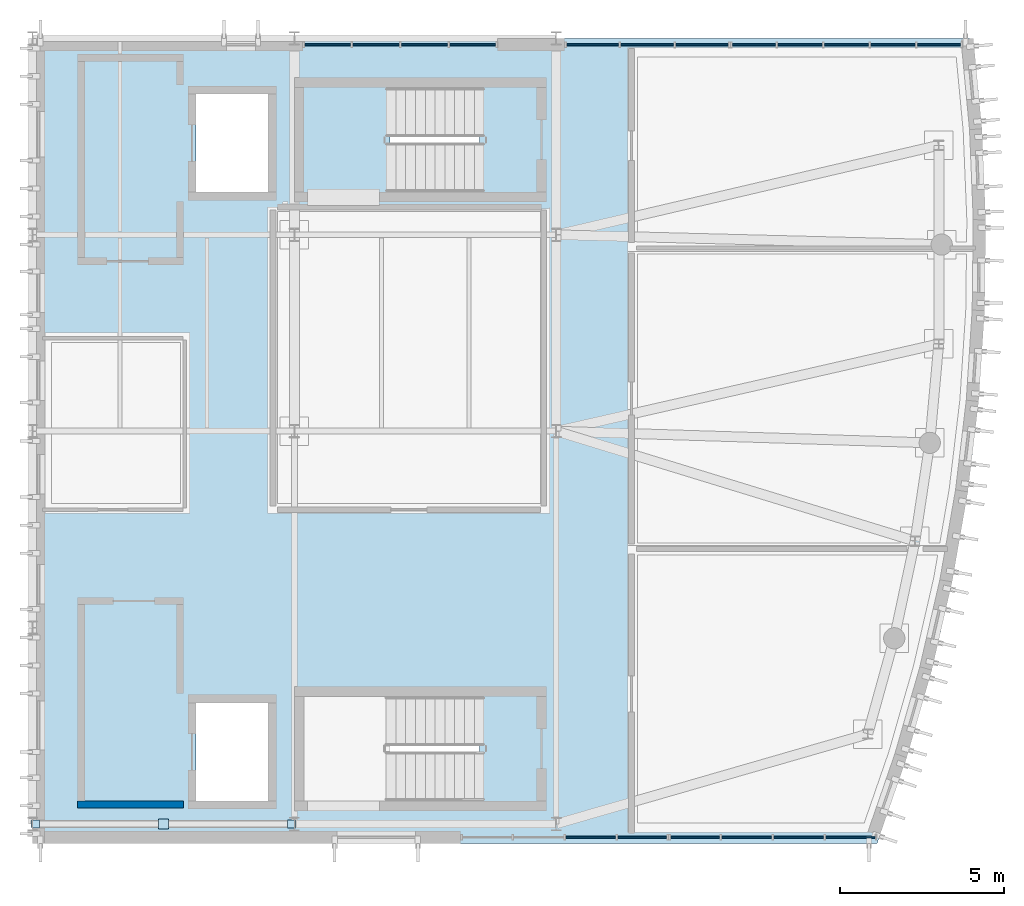
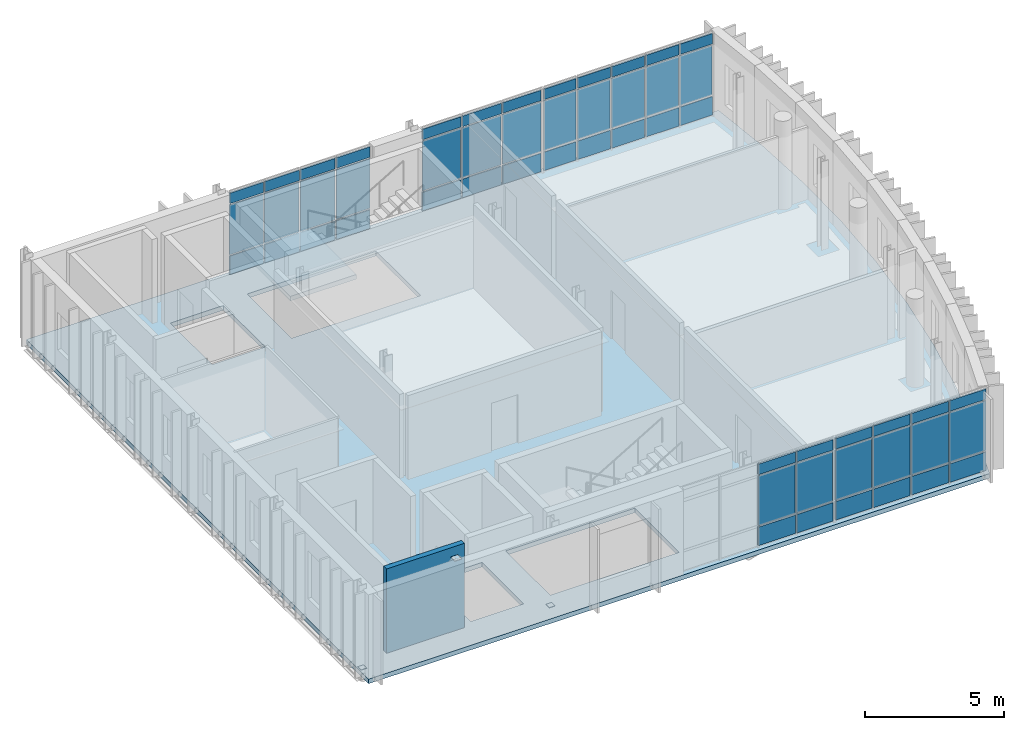
# One storey, part 5 of 10: 57 plates, 2 slabs, 1 wall, 6 elements without a shape of their own.
"""IFC4 building model written with IfcOpenShell, lengths in metres."""

import ifcopenshell
import ifcopenshell.guid

model = None  # the IFC model being written
_history = None  # IfcOwnerHistory: only IFC2X3 demands one
_inside = {}  # id of a spatial element -> (the spatial element, [elements in it])
_under = {}  # id of a project, library or spatial element -> (it, [spatial elements below it])
_declared = {}  # id of a project -> (the project, [libraries it declares])
_typed = {}  # id of a type object -> (the type object, [elements of that type])
_made_of = {}  # id of a material, layer set ... -> (it, [elements and type objects made of it])


def new_model(schema):
    """Start an empty IFC model of exactly this schema.

    Asked for "IFC4X3", IfcOpenShell would pick the latest addendum, in which some entities
    have other attributes; the version numbers below select the first issue.
    IFC2X3 requires an IfcOwnerHistory on every rooted entity: one is made here for all.
    """
    global model, _history
    if schema == "IFC4X3":
        model = ifcopenshell.file(schema_version=(4, 3, 0, 0))
    else:
        model = ifcopenshell.file(schema=schema)
    _inside.clear()
    _under.clear()
    _declared.clear()
    _typed.clear()
    _made_of.clear()
    _history = None
    if model.schema == "IFC2X3":
        org = make("IfcOrganization", Name="unknown")
        user = make(
            "IfcPersonAndOrganization",
            ThePerson=make("IfcPerson", FamilyName="unknown"),
            TheOrganization=org,
        )
        app = make(
            "IfcApplication",
            ApplicationDeveloper=org,
            Version="unknown",
            ApplicationFullName="unknown",
            ApplicationIdentifier="unknown",
        )
        _history = make(
            "IfcOwnerHistory",
            OwningUser=user,
            OwningApplication=app,
            ChangeAction="ADDED",
            CreationDate=0,
        )
    return model


def make(cls, **values):
    """One entity of the class cls with the attributes given. An attribute that is None is left unset."""
    return model.create_entity(
        cls, **{name: value for name, value in values.items() if value is not None}
    )


def rooted(cls, **values):
    """An entity with a GlobalId (a new one), such as an element, a storey or a relation."""
    return make(cls, GlobalId=ifcopenshell.guid.new(), OwnerHistory=_history, **values)


def si_unit(unit_type, name, prefix=None):
    """IfcSIUnit, for example si_unit("LENGTHUNIT", "METRE", prefix="MILLI")."""
    return make("IfcSIUnit", UnitType=unit_type, Prefix=prefix, Name=name)


def assignment(units):
    """IfcUnitAssignment: the units of a project."""
    return None if units is None else make("IfcUnitAssignment", Units=units)


def point(xyz):
    """IfcCartesianPoint."""
    return None if xyz is None else make("IfcCartesianPoint", Coordinates=xyz)


def direction(xyz):
    """IfcDirection."""
    return None if xyz is None else make("IfcDirection", DirectionRatios=xyz)


def frame(location, z_axis=None, x_axis=None):
    """IfcAxis2Placement3D, a coordinate frame: its origin and axes. An axis left out is left unset."""
    return make(
        "IfcAxis2Placement3D",
        Location=point(location),
        Axis=direction(z_axis),
        RefDirection=direction(x_axis),
    )


def frame_2d(location, x_axis=None):
    """IfcAxis2Placement2D, a coordinate frame in the plane: its origin and x axis."""
    return make(
        "IfcAxis2Placement2D", Location=point(location), RefDirection=direction(x_axis)
    )


def origin():
    """The frame at (0, 0, 0) with its axes left unset."""
    return frame((0.0, 0.0, 0.0))


def origin_2d():
    """The frame at (0, 0) in the plane with its x axis left unset."""
    return frame_2d((0.0, 0.0))


def place(relative_to, where):
    """IfcLocalPlacement: puts the frame where relative to a parent placement (None: the world)."""
    return make(
        "IfcLocalPlacement", PlacementRelTo=relative_to, RelativePlacement=where
    )


def context(
    kind, dimensions, precision=None, world=None, true_north=None, identifier=None
):
    """IfcGeometricRepresentationContext, for example the 3D "Model" context."""
    return make(
        "IfcGeometricRepresentationContext",
        ContextIdentifier=identifier,
        ContextType=kind,
        CoordinateSpaceDimension=dimensions,
        Precision=precision,
        WorldCoordinateSystem=world,
        TrueNorth=true_north,
    )


def subcontext(parent, identifier, kind, view, scale=None):
    """IfcGeometricRepresentationSubContext, for example "Body" below "Model"."""
    return make(
        "IfcGeometricRepresentationSubContext",
        ContextIdentifier=identifier,
        ContextType=kind,
        ParentContext=parent,
        TargetScale=scale,
        TargetView=view,
    )


def project(units=None, contexts=None):
    """IfcProject with its units and contexts."""
    return rooted(
        "IfcProject",
        Name="project",
        RepresentationContexts=contexts,
        UnitsInContext=assignment(units),
    )


def spatial(cls, under=None, at=None, **own):
    """A site, building, storey or space (cls), placed at a placement, below another one or the project."""
    s = rooted(cls, ObjectPlacement=at, **own)
    if under is not None:
        _under.setdefault(under.id(), (under, []))[1].append(s)
    return s


def polyline(points):
    """IfcPolyline through the points."""
    return make("IfcPolyline", Points=[point(p) for p in points])


def profile(cls, at=None, kind="AREA", **sizes):
    """A parametric profile (cls). Its sizes go by their IFC names, for example OverallWidth=200.0."""
    return make(cls, ProfileType=kind, Position=at, **sizes)


def rectangle(**sizes):
    """IfcRectangleProfileDef."""
    return profile("IfcRectangleProfileDef", **sizes)


def outline(outer, holes=None, kind="AREA"):
    """IfcArbitraryClosedProfileDef: a profile drawn as a closed curve; with holes, ...WithVoids."""
    if holes is None:
        return make("IfcArbitraryClosedProfileDef", ProfileType=kind, OuterCurve=outer)
    return make(
        "IfcArbitraryProfileDefWithVoids",
        ProfileType=kind,
        OuterCurve=outer,
        InnerCurves=holes,
    )


def extrude(swept, where, along, depth):
    """IfcExtrudedAreaSolid: the profile swept, set in the frame where, extruded along a direction by depth."""
    return make(
        "IfcExtrudedAreaSolid",
        SweptArea=swept,
        Position=where,
        ExtrudedDirection=direction(along),
        Depth=depth,
    )


def shape(context_of_items, identifier, shape_type, items):
    """IfcShapeRepresentation: the items that make up one representation, for example the "Body"."""
    return make(
        "IfcShapeRepresentation",
        ContextOfItems=context_of_items,
        RepresentationIdentifier=identifier,
        RepresentationType=shape_type,
        Items=items,
    )


def material(Name=None, Category=None):
    """IfcMaterial."""
    return make("IfcMaterial", Name=Name, Category=Category)


def layer(
    of_material, thickness, ventilated=None, Name=None, Category=None, Priority=None
):
    """IfcMaterialLayer: one layer of a wall or slab, of a material (None: an air gap)."""
    return make(
        "IfcMaterialLayer",
        Material=of_material,
        LayerThickness=thickness,
        IsVentilated=ventilated,
        Name=Name,
        Category=Category,
        Priority=Priority,
    )


def layer_set(layers, Name=None):
    """IfcMaterialLayerSet."""
    return make("IfcMaterialLayerSet", MaterialLayers=layers, LayerSetName=Name)


def made_of(thing, what):
    """Note that an element or type object is made of a material, layer set ...; save() writes the relation."""
    if what is not None:
        _made_of.setdefault(what.id(), (what, []))[1].append(thing)
    return thing


def type_object(cls, material=None, **own):
    """A type object (cls), such as IfcWallType, which elements share."""
    return made_of(rooted(cls, **own), material)


def element(
    cls,
    number,
    at=None,
    inside=None,
    cuts=None,
    type_object=None,
    material=None,
    context=None,
    identifier="Body",
    shape_type=None,
    held_by="IfcProductDefinitionShape",
    body=None,
    shapes=None,
    **own,
):
    """One element of the class cls, such as IfcWall. Its Tag is "e" and its number.

    at: its placement. inside: the storey or other place that contains it. cuts: it is an
    opening in that element (IfcRelVoidsElement). A single representation is given by context,
    identifier, shape_type and body (its items); several are given by shapes. held_by: the class
    of the entity that holds the representations. save() writes the other relations.
    """
    e = rooted(cls, Tag="e%d" % number, ObjectPlacement=at, **own)
    if body is not None:
        shapes = [shape(context, identifier, shape_type, body)]
    if shapes is not None:
        e.Representation = make(held_by, Representations=shapes)
    if inside is not None:
        _inside.setdefault(inside.id(), (inside, []))[1].append(e)
    if cuts is not None:
        rooted(
            "IfcRelVoidsElement", RelatingBuildingElement=cuts, RelatedOpeningElement=e
        )
    if type_object is not None:
        _typed.setdefault(type_object.id(), (type_object, []))[1].append(e)
    return made_of(e, material)


def aggregate(whole, parts):
    """IfcRelAggregates: a whole, such as a stair, and the parts it consists of."""
    return rooted("IfcRelAggregates", RelatingObject=whole, RelatedObjects=parts)


def save(model, path):
    """Write the relations noted so far, then the file.

    IfcRelAggregates (storeys below a building ...), IfcRelContainedInSpatialStructure (elements
    in a storey), IfcRelDefinesByType, IfcRelAssociatesMaterial and IfcRelDeclares: one each for
    every whole, place, type object, material and project.
    """
    for whole, parts in _under.values():
        aggregate(whole, parts)
    for where, things in _inside.values():
        rooted(
            "IfcRelContainedInSpatialStructure",
            RelatedElements=things,
            RelatingStructure=where,
        )
    for kind, things in _typed.values():
        rooted("IfcRelDefinesByType", RelatedObjects=things, RelatingType=kind)
    for what, things in _made_of.values():
        rooted("IfcRelAssociatesMaterial", RelatedObjects=things, RelatingMaterial=what)
    for by, libraries in _declared.values():
        rooted("IfcRelDeclares", RelatingContext=by, RelatedDefinitions=libraries)
    model.write(path)


model = new_model("IFC4")

# Units and contexts
model_context = context("Model", 3, precision=1e-05, world=origin(), true_north=direction((0.0, 1.0)))
body_context = subcontext(model_context, "Body", "Model", "MODEL_VIEW")
ifc_project = project(units=[si_unit("LENGTHUNIT", "METRE"), si_unit("AREAUNIT", "SQUARE_METRE"), si_unit("VOLUMEUNIT", "CUBIC_METRE"), si_unit("PLANEANGLEUNIT", "RADIAN"), si_unit("MASSUNIT", "GRAM", prefix="KILO")], contexts=[model_context])

# Site, building, storey
site_placement = place(None, origin())
site = spatial("IfcSite", under=ifc_project, at=site_placement, CompositionType="ELEMENT")
building_placement = place(site_placement, origin())
building = spatial("IfcBuilding", under=site, at=building_placement, Name="Cymarion Research Institute", CompositionType="ELEMENT")
storey_placement = place(building_placement, frame((0.0, 0.0, 38.39990234375)))
storey = spatial("IfcBuildingStorey", under=building, at=storey_placement, Name="L09", CompositionType="ELEMENT", Elevation=38.39990234375)

# Slab
ifc_material_1 = material(Name="Concrete C35/45", Category="concrete")
ifc_layer_1 = layer(ifc_material_1, 0.199951171875)
ifc_layer_set_1 = layer_set([ifc_layer_1], Name="Concrete C35/45")
slab_type_1 = type_object("IfcSlabType", Name="COMPOSITE FLOOR SLAB SL-FL200 200MM", PredefinedType="FLOOR", material=ifc_layer_set_1)
slab_1_placement = place(storey_placement, frame((0.0, 0.0, -0.199951171875)))
element("IfcSlab", 1, at=slab_1_placement, inside=storey, type_object=slab_type_1, Name="L09 V1 floor slab", PredefinedType="FLOOR", context=body_context, shape_type="SweptSolid", body=[
    extrude(outline(polyline([(138.60009765625, 4.89990234375), (164.39990234375, 4.89990234375), (165.30810546875, 7.526611328125), (166.07470703125, 10.197998046875), (166.697509765625, 12.906494140625), (167.1748046875, 15.64453125), (167.5048828125, 18.404052734375), (167.68701171875, 21.177490234375), (167.720947265625, 23.956298828125), (167.606201171875, 26.733154296875), (167.343505859375, 29.5), (138.60009765625, 29.5), (138.60009765625, 4.89990234375)]), holes=[polyline([(152.260009765625, 9.39990234375), (146.89990234375, 9.39990234375), (146.89990234375, 6.199951171875), (152.260009765625, 6.199951171875), (152.260009765625, 9.39990234375)]), polyline([(143.60009765625, 6.199951171875), (145.800048828125, 6.199951171875), (145.800048828125, 9.199951171875), (143.60009765625, 9.199951171875), (143.60009765625, 6.199951171875)]), polyline([(152.260009765625, 28.0), (146.89990234375, 28.0), (146.89990234375, 24.800048828125), (152.260009765625, 24.800048828125), (152.260009765625, 28.0)]), polyline([(143.60009765625, 24.800048828125), (145.800048828125, 24.800048828125), (145.800048828125, 27.800048828125), (143.60009765625, 27.800048828125), (143.60009765625, 24.800048828125)])]), origin(), (0.0, 0.0, 1.0), 0.199951171875),
])

# Curtain wall, plates
ifc_material_2 = material(Name="Anodised aluminium unitised curtain wall with Low-E glazing", Category="aluminium")
curtain_wall_type_1 = type_object("IfcCurtainWallType", Name="UNITISED CURTAIN WALL CW66 6360X3700", PredefinedType="NOTDEFINED", material=ifc_material_2)
curtain_wall_1_placement = place(storey_placement, origin())
curtain_wall_1 = element("IfcCurtainWall", 2, at=curtain_wall_1_placement, inside=storey, type_object=curtain_wall_type_1, Name="L09 V1 unitised curtain wall CW66 #248", PredefinedType="NOTDEFINED")
ifc_material_3 = material(Name="Insulated anodised aluminium spandrel panel", Category="aluminium")
ifc_layer_2 = layer(ifc_material_3, 0.06005859375)
ifc_layer_set_2 = layer_set([ifc_layer_2], Name="Insulated anodised aluminium spandrel panel")
plate_type_1 = type_object("IfcPlateType", Name="INSULATED ALUMINIUM SPANDREL PANEL SP01 60MM", PredefinedType="SHEET", material=ifc_layer_set_2)
plate_1_placement = place(storey_placement, frame((155.65576171875, 5.090087890625, 0.06005859375), z_axis=(0.0, 0.0, 1.0), x_axis=(1.0, 0.0, 0.0)))
plate_1 = element("IfcPlate", 3, at=plate_1_placement, type_object=plate_type_1, Name="CW66 panel 3.1", PredefinedType="SHEET", context=body_context, shape_type="SweptSolid", body=[
    extrude(rectangle(XDim=1.52978515625, YDim=0.06005859375, at=origin_2d()), origin(), (0.0, 0.0, 1.0), 0.81005859375),
])
plate_2_placement = place(storey_placement, frame((155.65576171875, 5.090087890625, 3.18017578125), z_axis=(0.0, 0.0, 1.0), x_axis=(1.0, 0.0, 0.0)))
plate_2 = element("IfcPlate", 4, at=plate_2_placement, type_object=plate_type_1, Name="CW66 panel 3.3", PredefinedType="SHEET", context=body_context, shape_type="SweptSolid", body=[
    extrude(rectangle(XDim=1.52978515625, YDim=0.06005859375, at=origin_2d()), origin(), (0.0, 0.0, 1.0), 0.4599609375),
])
plate_3_placement = place(storey_placement, frame((157.23046875, 5.090087890625, 0.06005859375), z_axis=(0.0, 0.0, 1.0), x_axis=(1.0, 0.0, 0.0)))
plate_3 = element("IfcPlate", 5, at=plate_3_placement, type_object=plate_type_1, Name="CW66 panel 4.1", PredefinedType="SHEET", context=body_context, shape_type="SweptSolid", body=[
    extrude(rectangle(XDim=1.499755859375, YDim=0.06005859375, at=origin_2d()), origin(), (0.0, 0.0, 1.0), 0.81005859375),
])
plate_4_placement = place(storey_placement, frame((157.23046875, 5.090087890625, 3.18017578125), z_axis=(0.0, 0.0, 1.0), x_axis=(1.0, 0.0, 0.0)))
plate_4 = element("IfcPlate", 6, at=plate_4_placement, type_object=plate_type_1, Name="CW66 panel 4.3", PredefinedType="SHEET", context=body_context, shape_type="SweptSolid", body=[
    extrude(rectangle(XDim=1.499755859375, YDim=0.06005859375, at=origin_2d()), origin(), (0.0, 0.0, 1.0), 0.4599609375),
])

curtain_wall_2_placement = place(storey_placement, origin())
curtain_wall_2 = element("IfcCurtainWall", 7, at=curtain_wall_2_placement, inside=storey, type_object=curtain_wall_type_1, Name="L09 V1 unitised curtain wall CW66 #249", PredefinedType="NOTDEFINED")
plate_5_placement = place(storey_placement, frame((158.850341796875, 5.090087890625, 0.06005859375), z_axis=(0.0, 0.0, 1.0), x_axis=(1.0, 0.0, 0.0)))
plate_5 = element("IfcPlate", 8, at=plate_5_placement, type_object=plate_type_1, Name="CW66 panel 1.1", PredefinedType="SHEET", context=body_context, shape_type="SweptSolid", body=[
    extrude(rectangle(XDim=1.499755859375, YDim=0.06005859375, at=origin_2d()), origin(), (0.0, 0.0, 1.0), 0.81005859375),
])
plate_6_placement = place(storey_placement, frame((158.850341796875, 5.090087890625, 3.18017578125), z_axis=(0.0, 0.0, 1.0), x_axis=(1.0, 0.0, 0.0)))
plate_6 = element("IfcPlate", 9, at=plate_6_placement, type_object=plate_type_1, Name="CW66 panel 1.3", PredefinedType="SHEET", context=body_context, shape_type="SweptSolid", body=[
    extrude(rectangle(XDim=1.499755859375, YDim=0.06005859375, at=origin_2d()), origin(), (0.0, 0.0, 1.0), 0.4599609375),
])
plate_7_placement = place(storey_placement, frame((160.42529296875, 5.090087890625, 0.06005859375), z_axis=(0.0, 0.0, 1.0), x_axis=(1.0, 0.0, 0.0)))
plate_7 = element("IfcPlate", 10, at=plate_7_placement, type_object=plate_type_1, Name="CW66 panel 2.1", PredefinedType="SHEET", context=body_context, shape_type="SweptSolid", body=[
    extrude(rectangle(XDim=1.52978515625, YDim=0.06005859375, at=origin_2d()), origin(), (0.0, 0.0, 1.0), 0.81005859375),
])
plate_8_placement = place(storey_placement, frame((160.42529296875, 5.090087890625, 3.18017578125), z_axis=(0.0, 0.0, 1.0), x_axis=(1.0, 0.0, 0.0)))
plate_8 = element("IfcPlate", 11, at=plate_8_placement, type_object=plate_type_1, Name="CW66 panel 2.3", PredefinedType="SHEET", context=body_context, shape_type="SweptSolid", body=[
    extrude(rectangle(XDim=1.52978515625, YDim=0.06005859375, at=origin_2d()), origin(), (0.0, 0.0, 1.0), 0.4599609375),
])
plate_9_placement = place(storey_placement, frame((162.01513671875, 5.090087890625, 0.06005859375), z_axis=(0.0, 0.0, 1.0), x_axis=(1.0, 0.0, 0.0)))
plate_9 = element("IfcPlate", 12, at=plate_9_placement, type_object=plate_type_1, Name="CW66 panel 3.1", PredefinedType="SHEET", context=body_context, shape_type="SweptSolid", body=[
    extrude(rectangle(XDim=1.52978515625, YDim=0.06005859375, at=origin_2d()), origin(), (0.0, 0.0, 1.0), 0.81005859375),
])
plate_10_placement = place(storey_placement, frame((162.01513671875, 5.090087890625, 3.18017578125), z_axis=(0.0, 0.0, 1.0), x_axis=(1.0, 0.0, 0.0)))
plate_10 = element("IfcPlate", 13, at=plate_10_placement, type_object=plate_type_1, Name="CW66 panel 3.3", PredefinedType="SHEET", context=body_context, shape_type="SweptSolid", body=[
    extrude(rectangle(XDim=1.52978515625, YDim=0.06005859375, at=origin_2d()), origin(), (0.0, 0.0, 1.0), 0.4599609375),
])
plate_11_placement = place(storey_placement, frame((163.590087890625, 5.090087890625, 0.06005859375), z_axis=(0.0, 0.0, 1.0), x_axis=(1.0, 0.0, 0.0)))
plate_11 = element("IfcPlate", 14, at=plate_11_placement, type_object=plate_type_1, Name="CW66 panel 4.1", PredefinedType="SHEET", context=body_context, shape_type="SweptSolid", body=[
    extrude(rectangle(XDim=1.499755859375, YDim=0.06005859375, at=origin_2d()), origin(), (0.0, 0.0, 1.0), 0.81005859375),
])
plate_12_placement = place(storey_placement, frame((163.590087890625, 5.090087890625, 3.18017578125), z_axis=(0.0, 0.0, 1.0), x_axis=(1.0, 0.0, 0.0)))
plate_12 = element("IfcPlate", 15, at=plate_12_placement, type_object=plate_type_1, Name="CW66 panel 4.3", PredefinedType="SHEET", context=body_context, shape_type="SweptSolid", body=[
    extrude(rectangle(XDim=1.499755859375, YDim=0.06005859375, at=origin_2d()), origin(), (0.0, 0.0, 1.0), 0.4599609375),
])

curtain_wall_type_2 = type_object("IfcCurtainWallType", Name="UNITISED CURTAIN WALL CW67 7100X3700", PredefinedType="NOTDEFINED", material=ifc_material_2)
curtain_wall_3_placement = place(storey_placement, origin())
curtain_wall_3 = element("IfcCurtainWall", 16, at=curtain_wall_3_placement, inside=storey, type_object=curtain_wall_type_2, Name="L09 V1 unitised curtain wall CW67 #250", PredefinedType="NOTDEFINED")
plate_13_placement = place(storey_placement, frame((166.29052734375, 29.31005859375, 0.06005859375), z_axis=(0.0, 0.0, 1.0), x_axis=(-1.0, 0.0, 0.0)))
plate_13 = element("IfcPlate", 17, at=plate_13_placement, type_object=plate_type_1, Name="CW67 panel 1.1", PredefinedType="SHEET", context=body_context, shape_type="SweptSolid", body=[
    extrude(rectangle(XDim=1.330810546875, YDim=0.06005859375, at=origin_2d()), origin(), (0.0, 0.0, 1.0), 0.81005859375),
])
plate_14_placement = place(storey_placement, frame((166.29052734375, 29.31005859375, 3.18017578125), z_axis=(0.0, 0.0, 1.0), x_axis=(-1.0, 0.0, 0.0)))
plate_14 = element("IfcPlate", 18, at=plate_14_placement, type_object=plate_type_1, Name="CW67 panel 1.3", PredefinedType="SHEET", context=body_context, shape_type="SweptSolid", body=[
    extrude(rectangle(XDim=1.330810546875, YDim=0.06005859375, at=origin_2d()), origin(), (0.0, 0.0, 1.0), 0.4599609375),
])
plate_15_placement = place(storey_placement, frame((164.884765625, 29.31005859375, 0.06005859375), z_axis=(0.0, 0.0, 1.0), x_axis=(-1.0, 0.0, 0.0)))
plate_15 = element("IfcPlate", 19, at=plate_15_placement, type_object=plate_type_1, Name="CW67 panel 2.1", PredefinedType="SHEET", context=body_context, shape_type="SweptSolid", body=[
    extrude(rectangle(XDim=1.36083984375, YDim=0.06005859375, at=origin_2d()), origin(), (0.0, 0.0, 1.0), 0.81005859375),
])
plate_16_placement = place(storey_placement, frame((164.884765625, 29.31005859375, 3.18017578125), z_axis=(0.0, 0.0, 1.0), x_axis=(-1.0, 0.0, 0.0)))
plate_16 = element("IfcPlate", 20, at=plate_16_placement, type_object=plate_type_1, Name="CW67 panel 2.3", PredefinedType="SHEET", context=body_context, shape_type="SweptSolid", body=[
    extrude(rectangle(XDim=1.36083984375, YDim=0.06005859375, at=origin_2d()), origin(), (0.0, 0.0, 1.0), 0.4599609375),
])
plate_17_placement = place(storey_placement, frame((163.4638671875, 29.31005859375, 0.06005859375), z_axis=(0.0, 0.0, 1.0), x_axis=(-1.0, 0.0, 0.0)))
plate_17 = element("IfcPlate", 21, at=plate_17_placement, type_object=plate_type_1, Name="CW67 panel 3.1", PredefinedType="SHEET", context=body_context, shape_type="SweptSolid", body=[
    extrude(rectangle(XDim=1.36083984375, YDim=0.06005859375, at=origin_2d()), origin(), (0.0, 0.0, 1.0), 0.81005859375),
])
plate_18_placement = place(storey_placement, frame((163.4638671875, 29.31005859375, 3.18017578125), z_axis=(0.0, 0.0, 1.0), x_axis=(-1.0, 0.0, 0.0)))
plate_18 = element("IfcPlate", 22, at=plate_18_placement, type_object=plate_type_1, Name="CW67 panel 3.3", PredefinedType="SHEET", context=body_context, shape_type="SweptSolid", body=[
    extrude(rectangle(XDim=1.36083984375, YDim=0.06005859375, at=origin_2d()), origin(), (0.0, 0.0, 1.0), 0.4599609375),
])
plate_19_placement = place(storey_placement, frame((162.043212890625, 29.31005859375, 0.06005859375), z_axis=(0.0, 0.0, 1.0), x_axis=(-1.0, 0.0, 0.0)))
plate_19 = element("IfcPlate", 23, at=plate_19_placement, type_object=plate_type_1, Name="CW67 panel 4.1", PredefinedType="SHEET", context=body_context, shape_type="SweptSolid", body=[
    extrude(rectangle(XDim=1.36083984375, YDim=0.06005859375, at=origin_2d()), origin(), (0.0, 0.0, 1.0), 0.81005859375),
])
plate_20_placement = place(storey_placement, frame((162.043212890625, 29.31005859375, 3.18017578125), z_axis=(0.0, 0.0, 1.0), x_axis=(-1.0, 0.0, 0.0)))
plate_20 = element("IfcPlate", 24, at=plate_20_placement, type_object=plate_type_1, Name="CW67 panel 4.3", PredefinedType="SHEET", context=body_context, shape_type="SweptSolid", body=[
    extrude(rectangle(XDim=1.36083984375, YDim=0.06005859375, at=origin_2d()), origin(), (0.0, 0.0, 1.0), 0.4599609375),
])
plate_21_placement = place(storey_placement, frame((160.63720703125, 29.31005859375, 0.06005859375), z_axis=(0.0, 0.0, 1.0), x_axis=(-1.0, 0.0, 0.0)))
plate_21 = element("IfcPlate", 25, at=plate_21_placement, type_object=plate_type_1, Name="CW67 panel 5.1", PredefinedType="SHEET", context=body_context, shape_type="SweptSolid", body=[
    extrude(rectangle(XDim=1.330810546875, YDim=0.06005859375, at=origin_2d()), origin(), (0.0, 0.0, 1.0), 0.81005859375),
])
plate_22_placement = place(storey_placement, frame((160.63720703125, 29.31005859375, 3.18017578125), z_axis=(0.0, 0.0, 1.0), x_axis=(-1.0, 0.0, 0.0)))
plate_22 = element("IfcPlate", 26, at=plate_22_placement, type_object=plate_type_1, Name="CW67 panel 5.3", PredefinedType="SHEET", context=body_context, shape_type="SweptSolid", body=[
    extrude(rectangle(XDim=1.330810546875, YDim=0.06005859375, at=origin_2d()), origin(), (0.0, 0.0, 1.0), 0.4599609375),
])

curtain_wall_type_3 = type_object("IfcCurtainWallType", Name="UNITISED CURTAIN WALL CW68 5050X3700", PredefinedType="NOTDEFINED", material=ifc_material_2)
curtain_wall_4_placement = place(storey_placement, origin())
curtain_wall_4 = element("IfcCurtainWall", 27, at=curtain_wall_4_placement, inside=storey, type_object=curtain_wall_type_3, Name="L09 V1 unitised curtain wall CW68 #251", PredefinedType="NOTDEFINED")
plate_23_placement = place(storey_placement, frame((159.054931640625, 29.31005859375, 0.06005859375), z_axis=(0.0, 0.0, 1.0), x_axis=(-1.0, 0.0, 0.0)))
plate_23 = element("IfcPlate", 28, at=plate_23_placement, type_object=plate_type_1, Name="CW68 panel 1.1", PredefinedType="SHEET", context=body_context, shape_type="SweptSolid", body=[
    extrude(rectangle(XDim=1.593994140625, YDim=0.06005859375, at=origin_2d()), origin(), (0.0, 0.0, 1.0), 0.81005859375),
])
plate_24_placement = place(storey_placement, frame((159.054931640625, 29.31005859375, 3.18017578125), z_axis=(0.0, 0.0, 1.0), x_axis=(-1.0, 0.0, 0.0)))
plate_24 = element("IfcPlate", 29, at=plate_24_placement, type_object=plate_type_1, Name="CW68 panel 1.3", PredefinedType="SHEET", context=body_context, shape_type="SweptSolid", body=[
    extrude(rectangle(XDim=1.593994140625, YDim=0.06005859375, at=origin_2d()), origin(), (0.0, 0.0, 1.0), 0.4599609375),
])
plate_25_placement = place(storey_placement, frame((157.385986328125, 29.31005859375, 0.06005859375), z_axis=(0.0, 0.0, 1.0), x_axis=(-1.0, 0.0, 0.0)))
plate_25 = element("IfcPlate", 30, at=plate_25_placement, type_object=plate_type_1, Name="CW68 panel 2.1", PredefinedType="SHEET", context=body_context, shape_type="SweptSolid", body=[
    extrude(rectangle(XDim=1.6240234375, YDim=0.06005859375, at=origin_2d()), origin(), (0.0, 0.0, 1.0), 0.81005859375),
])
plate_26_placement = place(storey_placement, frame((157.385986328125, 29.31005859375, 3.18017578125), z_axis=(0.0, 0.0, 1.0), x_axis=(-1.0, 0.0, 0.0)))
plate_26 = element("IfcPlate", 31, at=plate_26_placement, type_object=plate_type_1, Name="CW68 panel 2.3", PredefinedType="SHEET", context=body_context, shape_type="SweptSolid", body=[
    extrude(rectangle(XDim=1.6240234375, YDim=0.06005859375, at=origin_2d()), origin(), (0.0, 0.0, 1.0), 0.4599609375),
])
plate_27_placement = place(storey_placement, frame((155.717041015625, 29.31005859375, 0.06005859375), z_axis=(0.0, 0.0, 1.0), x_axis=(-1.0, 0.0, 0.0)))
plate_27 = element("IfcPlate", 32, at=plate_27_placement, type_object=plate_type_1, Name="CW68 panel 3.1", PredefinedType="SHEET", context=body_context, shape_type="SweptSolid", body=[
    extrude(rectangle(XDim=1.593994140625, YDim=0.06005859375, at=origin_2d()), origin(), (0.0, 0.0, 1.0), 0.81005859375),
])
plate_28_placement = place(storey_placement, frame((155.717041015625, 29.31005859375, 3.18017578125), z_axis=(0.0, 0.0, 1.0), x_axis=(-1.0, 0.0, 0.0)))
plate_28 = element("IfcPlate", 33, at=plate_28_placement, type_object=plate_type_1, Name="CW68 panel 3.3", PredefinedType="SHEET", context=body_context, shape_type="SweptSolid", body=[
    extrude(rectangle(XDim=1.593994140625, YDim=0.06005859375, at=origin_2d()), origin(), (0.0, 0.0, 1.0), 0.4599609375),
])

curtain_wall_type_4 = type_object("IfcCurtainWallType", Name="UNITISED CURTAIN WALL CW69 5950X3700", PredefinedType="NOTDEFINED", material=ifc_material_2)
curtain_wall_5_placement = place(storey_placement, origin())
curtain_wall_5 = element("IfcCurtainWall", 34, at=curtain_wall_5_placement, inside=storey, type_object=curtain_wall_type_4, Name="L09 V1 unitised curtain wall CW69 #252", PredefinedType="NOTDEFINED")
plate_29_placement = place(storey_placement, frame((152.04931640625, 29.31005859375, 0.06005859375), z_axis=(0.0, 0.0, 1.0), x_axis=(-1.0, 0.0, 0.0)))
plate_29 = element("IfcPlate", 35, at=plate_29_placement, type_object=plate_type_1, Name="CW69 panel 1.1", PredefinedType="SHEET", context=body_context, shape_type="SweptSolid", body=[
    extrude(rectangle(XDim=1.39697265625, YDim=0.06005859375, at=origin_2d()), origin(), (0.0, 0.0, 1.0), 0.81005859375),
])
plate_30_placement = place(storey_placement, frame((152.04931640625, 29.31005859375, 3.18017578125), z_axis=(0.0, 0.0, 1.0), x_axis=(-1.0, 0.0, 0.0)))
plate_30 = element("IfcPlate", 36, at=plate_30_placement, type_object=plate_type_1, Name="CW69 panel 1.3", PredefinedType="SHEET", context=body_context, shape_type="SweptSolid", body=[
    extrude(rectangle(XDim=1.39697265625, YDim=0.06005859375, at=origin_2d()), origin(), (0.0, 0.0, 1.0), 0.4599609375),
])
plate_31_placement = place(storey_placement, frame((150.577392578125, 29.31005859375, 0.06005859375), z_axis=(0.0, 0.0, 1.0), x_axis=(-1.0, 0.0, 0.0)))
plate_31 = element("IfcPlate", 37, at=plate_31_placement, type_object=plate_type_1, Name="CW69 panel 2.1", PredefinedType="SHEET", context=body_context, shape_type="SweptSolid", body=[
    extrude(rectangle(XDim=1.427001953125, YDim=0.06005859375, at=origin_2d()), origin(), (0.0, 0.0, 1.0), 0.81005859375),
])
plate_32_placement = place(storey_placement, frame((150.577392578125, 29.31005859375, 3.18017578125), z_axis=(0.0, 0.0, 1.0), x_axis=(-1.0, 0.0, 0.0)))
plate_32 = element("IfcPlate", 38, at=plate_32_placement, type_object=plate_type_1, Name="CW69 panel 2.3", PredefinedType="SHEET", context=body_context, shape_type="SweptSolid", body=[
    extrude(rectangle(XDim=1.427001953125, YDim=0.06005859375, at=origin_2d()), origin(), (0.0, 0.0, 1.0), 0.4599609375),
])
plate_33_placement = place(storey_placement, frame((149.090576171875, 29.31005859375, 0.06005859375), z_axis=(0.0, 0.0, 1.0), x_axis=(-1.0, 0.0, 0.0)))
plate_33 = element("IfcPlate", 39, at=plate_33_placement, type_object=plate_type_1, Name="CW69 panel 3.1", PredefinedType="SHEET", context=body_context, shape_type="SweptSolid", body=[
    extrude(rectangle(XDim=1.427001953125, YDim=0.06005859375, at=origin_2d()), origin(), (0.0, 0.0, 1.0), 0.81005859375),
])
plate_34_placement = place(storey_placement, frame((149.090576171875, 29.31005859375, 3.18017578125), z_axis=(0.0, 0.0, 1.0), x_axis=(-1.0, 0.0, 0.0)))
plate_34 = element("IfcPlate", 40, at=plate_34_placement, type_object=plate_type_1, Name="CW69 panel 3.3", PredefinedType="SHEET", context=body_context, shape_type="SweptSolid", body=[
    extrude(rectangle(XDim=1.427001953125, YDim=0.06005859375, at=origin_2d()), origin(), (0.0, 0.0, 1.0), 0.4599609375),
])
plate_35_placement = place(storey_placement, frame((147.618408203125, 29.31005859375, 0.06005859375), z_axis=(0.0, 0.0, 1.0), x_axis=(-1.0, 0.0, 0.0)))
plate_35 = element("IfcPlate", 41, at=plate_35_placement, type_object=plate_type_1, Name="CW69 panel 4.1", PredefinedType="SHEET", context=body_context, shape_type="SweptSolid", body=[
    extrude(rectangle(XDim=1.39697265625, YDim=0.06005859375, at=origin_2d()), origin(), (0.0, 0.0, 1.0), 0.81005859375),
])
plate_36_placement = place(storey_placement, frame((147.618408203125, 29.31005859375, 3.18017578125), z_axis=(0.0, 0.0, 1.0), x_axis=(-1.0, 0.0, 0.0)))
plate_36 = element("IfcPlate", 42, at=plate_36_placement, type_object=plate_type_1, Name="CW69 panel 4.3", PredefinedType="SHEET", context=body_context, shape_type="SweptSolid", body=[
    extrude(rectangle(XDim=1.39697265625, YDim=0.06005859375, at=origin_2d()), origin(), (0.0, 0.0, 1.0), 0.4599609375),
])

# Stair, slab
stair_type = type_object("IfcStairType", Name="REINFORCED CONCRETE DOGLEG STAIR STR-3900", PredefinedType="HALF_TURN_STAIR", material=ifc_material_1)
stair_placement = place(storey_placement, origin())
stair = element("IfcStair", 43, at=stair_placement, inside=storey, type_object=stair_type, Name="L09 Core C2 Smoke-Proof Exit Stair ST2", PredefinedType="HALF_TURN_STAIR")
ifc_layer_3 = layer(ifc_material_1, 0.199951171875)
ifc_layer_set_3 = layer_set([ifc_layer_3], Name="Concrete C35/45")
slab_type_2 = type_object("IfcSlabType", Name="REINFORCED CONCRETE STAIR LANDING LDG200", PredefinedType="LANDING", material=ifc_layer_set_3)
slab_2_placement = place(storey_placement, frame((0.0, 0.0, 1.75)))
slab_2 = element("IfcSlab", 44, at=slab_2_placement, type_object=slab_type_2, Name="ST2 landing 1", PredefinedType="LANDING", context=body_context, shape_type="SweptSolid", body=[
    extrude(outline(polyline([(149.52001953125, 28.1201171875), (149.52001953125, 24.679931640625), (146.780029296875, 24.679931640625), (146.780029296875, 28.1201171875), (149.52001953125, 28.1201171875)])), origin(), (0.0, 0.0, 1.0), 0.2001953125),
])
aggregate(stair, [slab_2])

# Plate
ifc_material_4 = material(Name="Low-E double solar-control glazing", Category="glass")
ifc_layer_4 = layer(ifc_material_4, 0.035888671875)
ifc_layer_set_4 = layer_set([ifc_layer_4], Name="Low-E double solar-control glazing")
plate_type_2 = type_object("IfcPlateType", Name="SOLAR CONTROL GLAZED VISION PANEL GP01 36MM", PredefinedType="CURTAIN_PANEL", material=ifc_layer_set_4)
plate_37_placement = place(storey_placement, frame((155.65576171875, 5.090087890625, 0.93017578125), z_axis=(0.0, 0.0, 1.0), x_axis=(1.0, 0.0, 0.0)))
plate_37 = element("IfcPlate", 45, at=plate_37_placement, type_object=plate_type_2, Name="CW66 panel 3.2", PredefinedType="CURTAIN_PANEL", context=body_context, shape_type="SweptSolid", body=[
    extrude(rectangle(XDim=1.52978515625, YDim=0.035888671875, at=origin_2d()), origin(), (0.0, 0.0, 1.0), 2.18994140625),
])

plate_38_placement = place(storey_placement, frame((157.23046875, 5.090087890625, 0.93017578125), z_axis=(0.0, 0.0, 1.0), x_axis=(1.0, 0.0, 0.0)))
plate_38 = element("IfcPlate", 46, at=plate_38_placement, type_object=plate_type_2, Name="CW66 panel 4.2", PredefinedType="CURTAIN_PANEL", context=body_context, shape_type="SweptSolid", body=[
    extrude(rectangle(XDim=1.499755859375, YDim=0.035888671875, at=origin_2d()), origin(), (0.0, 0.0, 1.0), 2.18994140625),
])

aggregate(curtain_wall_1, [plate_1, plate_37, plate_2, plate_3, plate_38, plate_4])

plate_39_placement = place(storey_placement, frame((158.850341796875, 5.090087890625, 0.93017578125), z_axis=(0.0, 0.0, 1.0), x_axis=(1.0, 0.0, 0.0)))
plate_39 = element("IfcPlate", 47, at=plate_39_placement, type_object=plate_type_2, Name="CW66 panel 1.2", PredefinedType="CURTAIN_PANEL", context=body_context, shape_type="SweptSolid", body=[
    extrude(rectangle(XDim=1.499755859375, YDim=0.035888671875, at=origin_2d()), origin(), (0.0, 0.0, 1.0), 2.18994140625),
])

plate_40_placement = place(storey_placement, frame((160.42529296875, 5.090087890625, 0.93017578125), z_axis=(0.0, 0.0, 1.0), x_axis=(1.0, 0.0, 0.0)))
plate_40 = element("IfcPlate", 48, at=plate_40_placement, type_object=plate_type_2, Name="CW66 panel 2.2", PredefinedType="CURTAIN_PANEL", context=body_context, shape_type="SweptSolid", body=[
    extrude(rectangle(XDim=1.52978515625, YDim=0.035888671875, at=origin_2d()), origin(), (0.0, 0.0, 1.0), 2.18994140625),
])

plate_41_placement = place(storey_placement, frame((162.01513671875, 5.090087890625, 0.93017578125), z_axis=(0.0, 0.0, 1.0), x_axis=(1.0, 0.0, 0.0)))
plate_41 = element("IfcPlate", 49, at=plate_41_placement, type_object=plate_type_2, Name="CW66 panel 3.2", PredefinedType="CURTAIN_PANEL", context=body_context, shape_type="SweptSolid", body=[
    extrude(rectangle(XDim=1.52978515625, YDim=0.035888671875, at=origin_2d()), origin(), (0.0, 0.0, 1.0), 2.18994140625),
])

plate_42_placement = place(storey_placement, frame((163.590087890625, 5.090087890625, 0.93017578125), z_axis=(0.0, 0.0, 1.0), x_axis=(1.0, 0.0, 0.0)))
plate_42 = element("IfcPlate", 50, at=plate_42_placement, type_object=plate_type_2, Name="CW66 panel 4.2", PredefinedType="CURTAIN_PANEL", context=body_context, shape_type="SweptSolid", body=[
    extrude(rectangle(XDim=1.499755859375, YDim=0.035888671875, at=origin_2d()), origin(), (0.0, 0.0, 1.0), 2.18994140625),
])

aggregate(curtain_wall_2, [plate_5, plate_39, plate_6, plate_7, plate_40, plate_8, plate_9, plate_41, plate_10, plate_11, plate_42, plate_12])

plate_43_placement = place(storey_placement, frame((166.29052734375, 29.31005859375, 0.93017578125), z_axis=(0.0, 0.0, 1.0), x_axis=(-1.0, 0.0, 0.0)))
plate_43 = element("IfcPlate", 51, at=plate_43_placement, type_object=plate_type_2, Name="CW67 panel 1.2", PredefinedType="CURTAIN_PANEL", context=body_context, shape_type="SweptSolid", body=[
    extrude(rectangle(XDim=1.330810546875, YDim=0.035888671875, at=origin_2d()), origin(), (0.0, 0.0, 1.0), 2.18994140625),
])

plate_44_placement = place(storey_placement, frame((164.884765625, 29.31005859375, 0.93017578125), z_axis=(0.0, 0.0, 1.0), x_axis=(-1.0, 0.0, 0.0)))
plate_44 = element("IfcPlate", 52, at=plate_44_placement, type_object=plate_type_2, Name="CW67 panel 2.2", PredefinedType="CURTAIN_PANEL", context=body_context, shape_type="SweptSolid", body=[
    extrude(rectangle(XDim=1.36083984375, YDim=0.035888671875, at=origin_2d()), origin(), (0.0, 0.0, 1.0), 2.18994140625),
])

plate_45_placement = place(storey_placement, frame((163.4638671875, 29.31005859375, 0.93017578125), z_axis=(0.0, 0.0, 1.0), x_axis=(-1.0, 0.0, 0.0)))
plate_45 = element("IfcPlate", 53, at=plate_45_placement, type_object=plate_type_2, Name="CW67 panel 3.2", PredefinedType="CURTAIN_PANEL", context=body_context, shape_type="SweptSolid", body=[
    extrude(rectangle(XDim=1.36083984375, YDim=0.035888671875, at=origin_2d()), origin(), (0.0, 0.0, 1.0), 2.18994140625),
])

plate_46_placement = place(storey_placement, frame((162.043212890625, 29.31005859375, 0.93017578125), z_axis=(0.0, 0.0, 1.0), x_axis=(-1.0, 0.0, 0.0)))
plate_46 = element("IfcPlate", 54, at=plate_46_placement, type_object=plate_type_2, Name="CW67 panel 4.2", PredefinedType="CURTAIN_PANEL", context=body_context, shape_type="SweptSolid", body=[
    extrude(rectangle(XDim=1.36083984375, YDim=0.035888671875, at=origin_2d()), origin(), (0.0, 0.0, 1.0), 2.18994140625),
])

plate_47_placement = place(storey_placement, frame((160.63720703125, 29.31005859375, 0.93017578125), z_axis=(0.0, 0.0, 1.0), x_axis=(-1.0, 0.0, 0.0)))
plate_47 = element("IfcPlate", 55, at=plate_47_placement, type_object=plate_type_2, Name="CW67 panel 5.2", PredefinedType="CURTAIN_PANEL", context=body_context, shape_type="SweptSolid", body=[
    extrude(rectangle(XDim=1.330810546875, YDim=0.035888671875, at=origin_2d()), origin(), (0.0, 0.0, 1.0), 2.18994140625),
])

aggregate(curtain_wall_3, [plate_13, plate_43, plate_14, plate_15, plate_44, plate_16, plate_17, plate_45, plate_18, plate_19, plate_46, plate_20, plate_21, plate_47, plate_22])

plate_48_placement = place(storey_placement, frame((159.054931640625, 29.31005859375, 0.93017578125), z_axis=(0.0, 0.0, 1.0), x_axis=(-1.0, 0.0, 0.0)))
plate_48 = element("IfcPlate", 56, at=plate_48_placement, type_object=plate_type_2, Name="CW68 panel 1.2", PredefinedType="CURTAIN_PANEL", context=body_context, shape_type="SweptSolid", body=[
    extrude(rectangle(XDim=1.593994140625, YDim=0.035888671875, at=origin_2d()), origin(), (0.0, 0.0, 1.0), 2.18994140625),
])

plate_49_placement = place(storey_placement, frame((157.385986328125, 29.31005859375, 0.93017578125), z_axis=(0.0, 0.0, 1.0), x_axis=(-1.0, 0.0, 0.0)))
plate_49 = element("IfcPlate", 57, at=plate_49_placement, type_object=plate_type_2, Name="CW68 panel 2.2", PredefinedType="CURTAIN_PANEL", context=body_context, shape_type="SweptSolid", body=[
    extrude(rectangle(XDim=1.6240234375, YDim=0.035888671875, at=origin_2d()), origin(), (0.0, 0.0, 1.0), 2.18994140625),
])

plate_50_placement = place(storey_placement, frame((155.717041015625, 29.31005859375, 0.93017578125), z_axis=(0.0, 0.0, 1.0), x_axis=(-1.0, 0.0, 0.0)))
plate_50 = element("IfcPlate", 58, at=plate_50_placement, type_object=plate_type_2, Name="CW68 panel 3.2", PredefinedType="CURTAIN_PANEL", context=body_context, shape_type="SweptSolid", body=[
    extrude(rectangle(XDim=1.593994140625, YDim=0.035888671875, at=origin_2d()), origin(), (0.0, 0.0, 1.0), 2.18994140625),
])

aggregate(curtain_wall_4, [plate_23, plate_48, plate_24, plate_25, plate_49, plate_26, plate_27, plate_50, plate_28])

plate_51_placement = place(storey_placement, frame((152.04931640625, 29.31005859375, 0.93017578125), z_axis=(0.0, 0.0, 1.0), x_axis=(-1.0, 0.0, 0.0)))
plate_51 = element("IfcPlate", 59, at=plate_51_placement, type_object=plate_type_2, Name="CW69 panel 1.2", PredefinedType="CURTAIN_PANEL", context=body_context, shape_type="SweptSolid", body=[
    extrude(rectangle(XDim=1.39697265625, YDim=0.035888671875, at=origin_2d()), origin(), (0.0, 0.0, 1.0), 2.18994140625),
])

plate_52_placement = place(storey_placement, frame((150.577392578125, 29.31005859375, 0.93017578125), z_axis=(0.0, 0.0, 1.0), x_axis=(-1.0, 0.0, 0.0)))
plate_52 = element("IfcPlate", 60, at=plate_52_placement, type_object=plate_type_2, Name="CW69 panel 2.2", PredefinedType="CURTAIN_PANEL", context=body_context, shape_type="SweptSolid", body=[
    extrude(rectangle(XDim=1.427001953125, YDim=0.035888671875, at=origin_2d()), origin(), (0.0, 0.0, 1.0), 2.18994140625),
])

plate_53_placement = place(storey_placement, frame((149.090576171875, 29.31005859375, 0.93017578125), z_axis=(0.0, 0.0, 1.0), x_axis=(-1.0, 0.0, 0.0)))
plate_53 = element("IfcPlate", 61, at=plate_53_placement, type_object=plate_type_2, Name="CW69 panel 3.2", PredefinedType="CURTAIN_PANEL", context=body_context, shape_type="SweptSolid", body=[
    extrude(rectangle(XDim=1.427001953125, YDim=0.035888671875, at=origin_2d()), origin(), (0.0, 0.0, 1.0), 2.18994140625),
])

plate_54_placement = place(storey_placement, frame((147.618408203125, 29.31005859375, 0.93017578125), z_axis=(0.0, 0.0, 1.0), x_axis=(-1.0, 0.0, 0.0)))
plate_54 = element("IfcPlate", 62, at=plate_54_placement, type_object=plate_type_2, Name="CW69 panel 4.2", PredefinedType="CURTAIN_PANEL", context=body_context, shape_type="SweptSolid", body=[
    extrude(rectangle(XDim=1.39697265625, YDim=0.035888671875, at=origin_2d()), origin(), (0.0, 0.0, 1.0), 2.18994140625),
])

aggregate(curtain_wall_5, [plate_29, plate_51, plate_30, plate_31, plate_52, plate_32, plate_33, plate_53, plate_34, plate_35, plate_54, plate_36])

# Plates
ifc_material_5 = material(Name="Steel S355", Category="steel")
ifc_layer_5 = layer(ifc_material_5, 0.01806640625)
ifc_layer_set_5 = layer_set([ifc_layer_5], Name="Steel S355")
plate_type_3 = type_object("IfcPlateType", Name="STEEL NODE GUSSET PLATE CP01 18MM", PredefinedType="USERDEFINED", material=ifc_layer_set_5)
plate_55_placement = place(storey_placement, frame((142.60009765625, 5.5, 3.551025390625), z_axis=(0.0, 0.0, 1.0), x_axis=(1.0, 0.0, 0.0)))
element("IfcPlate", 63, at=plate_55_placement, inside=storey, type_object=plate_type_3, Name="L09 V1 chevron apex gusset plate", ObjectType="GUSSET PLATE", PredefinedType="USERDEFINED", context=body_context, shape_type="SweptSolid", body=[
    extrude(rectangle(XDim=0.300048828125, YDim=0.300048828125, at=origin_2d()), origin(), (0.0, 0.0, 1.0), 0.01806640625),
])
ifc_layer_6 = layer(ifc_material_5, 0.011962890625)
ifc_layer_set_6 = layer_set([ifc_layer_6], Name="Steel S355")
plate_type_4 = type_object("IfcPlateType", Name="STEEL NODE GUSSET PLATE CP02 12MM", PredefinedType="USERDEFINED", material=ifc_layer_set_6)
for number, where, z_axis, x_axis, name in (
    (64, (138.69091796875, 5.5, 0.1142578125), (0.0, 0.0, 1.0), (1.0, 0.0, 0.0), "L09 V1 chevron base gusset plate #1"),
    (65, (146.509033203125, 5.5, 0.1142578125), (0.0, 0.0, 1.0), (1.0, 0.0, 0.0), "L09 V1 chevron base gusset plate #2"),
):
    element("IfcPlate", number, at=place(storey_placement, frame(where, z_axis=z_axis, x_axis=x_axis)), inside=storey, type_object=plate_type_4, Name=name, ObjectType="GUSSET PLATE", PredefinedType="USERDEFINED", context=body_context, shape_type="SweptSolid", body=[
        extrude(rectangle(XDim=0.239990234375, YDim=0.239990234375, at=origin_2d()), origin(), (0.0, 0.0, 1.0), 0.011962890625),
    ])

# Wall
ifc_material_6 = material(Name="Concrete C40/50", Category="concrete")
ifc_layer_7 = layer(ifc_material_6, 0.219970703125)
ifc_layer_set_7 = layer_set([ifc_layer_7], Name="Concrete C40/50")
wall_type = type_object("IfcWallType", Name="REINFORCED CONCRETE CORE WALL CW-FF220 220MM", PredefinedType="SOLIDWALL", material=ifc_layer_set_7)
wall_placement = place(storey_placement, frame((139.97998046875, 6.090087890625, 0.0), z_axis=(0.0, 0.0, 1.0), x_axis=(1.0, 0.0, 0.0)))
element("IfcWall", 66, at=wall_placement, inside=storey, type_object=wall_type, Name="L09 FFL-LF1-L09 south core wall", PredefinedType="SOLIDWALL", context=body_context, shape_type="SweptSolid", body=[
    extrude(rectangle(XDim=3.239990234375, YDim=0.219970703125, at=frame_2d((1.6201171875, 0.0))), origin(), (0.0, 0.0, 1.0), 3.7001953125),
])

save(model, "model.ifc")
